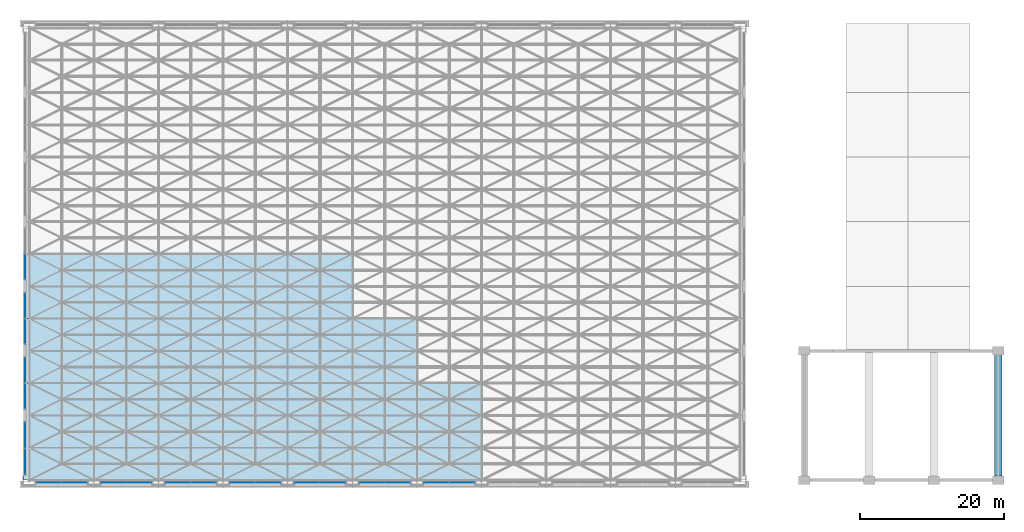
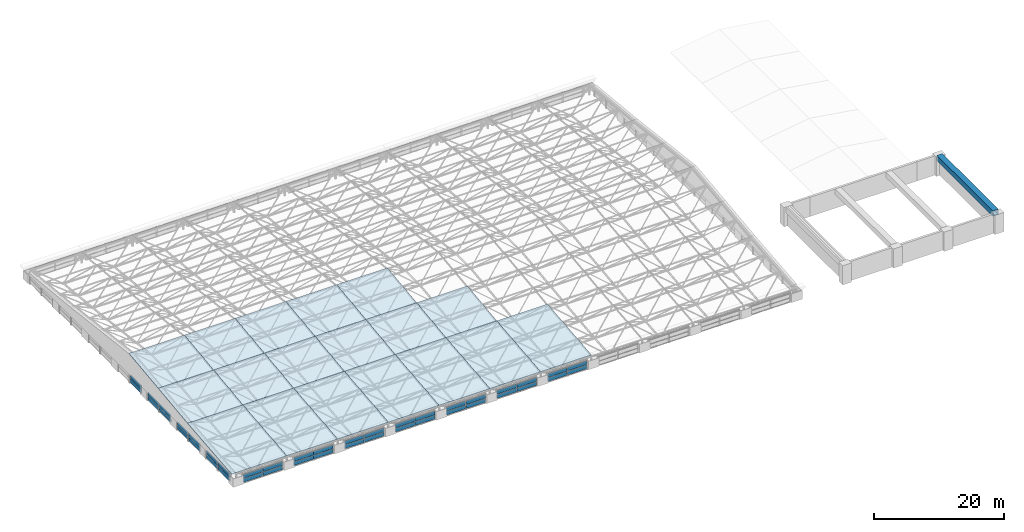
# One storey, part 23 of 53: 42 plates, 18 slabs, 1 beam, 11 elements without a shape of their own.
"""IFC4 building model written with IfcOpenShell, lengths in metres."""

import ifcopenshell
import ifcopenshell.guid

model = None  # the IFC model being written
_history = None  # IfcOwnerHistory: only IFC2X3 demands one
_inside = {}  # id of a spatial element -> (the spatial element, [elements in it])
_under = {}  # id of a project, library or spatial element -> (it, [spatial elements below it])
_declared = {}  # id of a project -> (the project, [libraries it declares])
_typed = {}  # id of a type object -> (the type object, [elements of that type])
_made_of = {}  # id of a material, layer set ... -> (it, [elements and type objects made of it])


def new_model(schema):
    """Start an empty IFC model of exactly this schema.

    Asked for "IFC4X3", IfcOpenShell would pick the latest addendum, in which some entities
    have other attributes; the version numbers below select the first issue.
    IFC2X3 requires an IfcOwnerHistory on every rooted entity: one is made here for all.
    """
    global model, _history
    if schema == "IFC4X3":
        model = ifcopenshell.file(schema_version=(4, 3, 0, 0))
    else:
        model = ifcopenshell.file(schema=schema)
    _inside.clear()
    _under.clear()
    _declared.clear()
    _typed.clear()
    _made_of.clear()
    _history = None
    if model.schema == "IFC2X3":
        org = make("IfcOrganization", Name="unknown")
        user = make(
            "IfcPersonAndOrganization",
            ThePerson=make("IfcPerson", FamilyName="unknown"),
            TheOrganization=org,
        )
        app = make(
            "IfcApplication",
            ApplicationDeveloper=org,
            Version="unknown",
            ApplicationFullName="unknown",
            ApplicationIdentifier="unknown",
        )
        _history = make(
            "IfcOwnerHistory",
            OwningUser=user,
            OwningApplication=app,
            ChangeAction="ADDED",
            CreationDate=0,
        )
    return model


def make(cls, **values):
    """One entity of the class cls with the attributes given. An attribute that is None is left unset."""
    return model.create_entity(
        cls, **{name: value for name, value in values.items() if value is not None}
    )


def rooted(cls, **values):
    """An entity with a GlobalId (a new one), such as an element, a storey or a relation."""
    return make(cls, GlobalId=ifcopenshell.guid.new(), OwnerHistory=_history, **values)


def si_unit(unit_type, name, prefix=None):
    """IfcSIUnit, for example si_unit("LENGTHUNIT", "METRE", prefix="MILLI")."""
    return make("IfcSIUnit", UnitType=unit_type, Prefix=prefix, Name=name)


def assignment(units):
    """IfcUnitAssignment: the units of a project."""
    return None if units is None else make("IfcUnitAssignment", Units=units)


def point(xyz):
    """IfcCartesianPoint."""
    return None if xyz is None else make("IfcCartesianPoint", Coordinates=xyz)


def direction(xyz):
    """IfcDirection."""
    return None if xyz is None else make("IfcDirection", DirectionRatios=xyz)


def frame(location, z_axis=None, x_axis=None):
    """IfcAxis2Placement3D, a coordinate frame: its origin and axes. An axis left out is left unset."""
    return make(
        "IfcAxis2Placement3D",
        Location=point(location),
        Axis=direction(z_axis),
        RefDirection=direction(x_axis),
    )


def frame_2d(location, x_axis=None):
    """IfcAxis2Placement2D, a coordinate frame in the plane: its origin and x axis."""
    return make(
        "IfcAxis2Placement2D", Location=point(location), RefDirection=direction(x_axis)
    )


def origin():
    """The frame at (0, 0, 0) with its axes left unset."""
    return frame((0.0, 0.0, 0.0))


def origin_2d():
    """The frame at (0, 0) in the plane with its x axis left unset."""
    return frame_2d((0.0, 0.0))


def place(relative_to, where):
    """IfcLocalPlacement: puts the frame where relative to a parent placement (None: the world)."""
    return make(
        "IfcLocalPlacement", PlacementRelTo=relative_to, RelativePlacement=where
    )


def context(
    kind, dimensions, precision=None, world=None, true_north=None, identifier=None
):
    """IfcGeometricRepresentationContext, for example the 3D "Model" context."""
    return make(
        "IfcGeometricRepresentationContext",
        ContextIdentifier=identifier,
        ContextType=kind,
        CoordinateSpaceDimension=dimensions,
        Precision=precision,
        WorldCoordinateSystem=world,
        TrueNorth=true_north,
    )


def subcontext(parent, identifier, kind, view, scale=None):
    """IfcGeometricRepresentationSubContext, for example "Body" below "Model"."""
    return make(
        "IfcGeometricRepresentationSubContext",
        ContextIdentifier=identifier,
        ContextType=kind,
        ParentContext=parent,
        TargetScale=scale,
        TargetView=view,
    )


def project(units=None, contexts=None):
    """IfcProject with its units and contexts."""
    return rooted(
        "IfcProject",
        Name="project",
        RepresentationContexts=contexts,
        UnitsInContext=assignment(units),
    )


def spatial(cls, under=None, at=None, **own):
    """A site, building, storey or space (cls), placed at a placement, below another one or the project."""
    s = rooted(cls, ObjectPlacement=at, **own)
    if under is not None:
        _under.setdefault(under.id(), (under, []))[1].append(s)
    return s


def polyline(points):
    """IfcPolyline through the points."""
    return make("IfcPolyline", Points=[point(p) for p in points])


def profile(cls, at=None, kind="AREA", **sizes):
    """A parametric profile (cls). Its sizes go by their IFC names, for example OverallWidth=200.0."""
    return make(cls, ProfileType=kind, Position=at, **sizes)


def rectangle(**sizes):
    """IfcRectangleProfileDef."""
    return profile("IfcRectangleProfileDef", **sizes)


def hollow_rectangle(**sizes):
    """IfcRectangleHollowProfileDef."""
    return profile("IfcRectangleHollowProfileDef", **sizes)


def outline(outer, holes=None, kind="AREA"):
    """IfcArbitraryClosedProfileDef: a profile drawn as a closed curve; with holes, ...WithVoids."""
    if holes is None:
        return make("IfcArbitraryClosedProfileDef", ProfileType=kind, OuterCurve=outer)
    return make(
        "IfcArbitraryProfileDefWithVoids",
        ProfileType=kind,
        OuterCurve=outer,
        InnerCurves=holes,
    )


def extrude(swept, where, along, depth):
    """IfcExtrudedAreaSolid: the profile swept, set in the frame where, extruded along a direction by depth."""
    return make(
        "IfcExtrudedAreaSolid",
        SweptArea=swept,
        Position=where,
        ExtrudedDirection=direction(along),
        Depth=depth,
    )


def shape(context_of_items, identifier, shape_type, items):
    """IfcShapeRepresentation: the items that make up one representation, for example the "Body"."""
    return make(
        "IfcShapeRepresentation",
        ContextOfItems=context_of_items,
        RepresentationIdentifier=identifier,
        RepresentationType=shape_type,
        Items=items,
    )


def material(Name=None, Category=None):
    """IfcMaterial."""
    return make("IfcMaterial", Name=Name, Category=Category)


def layer(
    of_material, thickness, ventilated=None, Name=None, Category=None, Priority=None
):
    """IfcMaterialLayer: one layer of a wall or slab, of a material (None: an air gap)."""
    return make(
        "IfcMaterialLayer",
        Material=of_material,
        LayerThickness=thickness,
        IsVentilated=ventilated,
        Name=Name,
        Category=Category,
        Priority=Priority,
    )


def layer_set(layers, Name=None):
    """IfcMaterialLayerSet."""
    return make("IfcMaterialLayerSet", MaterialLayers=layers, LayerSetName=Name)


def material_profile(
    of_material, cross_section, Name=None, Category=None, Priority=None
):
    """IfcMaterialProfile: a cross section and its material."""
    return make(
        "IfcMaterialProfile",
        Name=Name,
        Material=of_material,
        Profile=cross_section,
        Priority=Priority,
        Category=Category,
    )


def profile_set(profiles, Name=None, composite=None):
    """IfcMaterialProfileSet."""
    return make(
        "IfcMaterialProfileSet",
        Name=Name,
        MaterialProfiles=profiles,
        CompositeProfile=composite,
    )


def made_of(thing, what):
    """Note that an element or type object is made of a material, layer set ...; save() writes the relation."""
    if what is not None:
        _made_of.setdefault(what.id(), (what, []))[1].append(thing)
    return thing


def type_object(cls, material=None, **own):
    """A type object (cls), such as IfcWallType, which elements share."""
    return made_of(rooted(cls, **own), material)


def element(
    cls,
    number,
    at=None,
    inside=None,
    cuts=None,
    type_object=None,
    material=None,
    context=None,
    identifier="Body",
    shape_type=None,
    held_by="IfcProductDefinitionShape",
    body=None,
    shapes=None,
    **own,
):
    """One element of the class cls, such as IfcWall. Its Tag is "e" and its number.

    at: its placement. inside: the storey or other place that contains it. cuts: it is an
    opening in that element (IfcRelVoidsElement). A single representation is given by context,
    identifier, shape_type and body (its items); several are given by shapes. held_by: the class
    of the entity that holds the representations. save() writes the other relations.
    """
    e = rooted(cls, Tag="e%d" % number, ObjectPlacement=at, **own)
    if body is not None:
        shapes = [shape(context, identifier, shape_type, body)]
    if shapes is not None:
        e.Representation = make(held_by, Representations=shapes)
    if inside is not None:
        _inside.setdefault(inside.id(), (inside, []))[1].append(e)
    if cuts is not None:
        rooted(
            "IfcRelVoidsElement", RelatingBuildingElement=cuts, RelatedOpeningElement=e
        )
    if type_object is not None:
        _typed.setdefault(type_object.id(), (type_object, []))[1].append(e)
    return made_of(e, material)


def aggregate(whole, parts):
    """IfcRelAggregates: a whole, such as a stair, and the parts it consists of."""
    return rooted("IfcRelAggregates", RelatingObject=whole, RelatedObjects=parts)


def save(model, path):
    """Write the relations noted so far, then the file.

    IfcRelAggregates (storeys below a building ...), IfcRelContainedInSpatialStructure (elements
    in a storey), IfcRelDefinesByType, IfcRelAssociatesMaterial and IfcRelDeclares: one each for
    every whole, place, type object, material and project.
    """
    for whole, parts in _under.values():
        aggregate(whole, parts)
    for where, things in _inside.values():
        rooted(
            "IfcRelContainedInSpatialStructure",
            RelatedElements=things,
            RelatingStructure=where,
        )
    for kind, things in _typed.values():
        rooted("IfcRelDefinesByType", RelatedObjects=things, RelatingType=kind)
    for what, things in _made_of.values():
        rooted("IfcRelAssociatesMaterial", RelatedObjects=things, RelatingMaterial=what)
    for by, libraries in _declared.values():
        rooted("IfcRelDeclares", RelatingContext=by, RelatedDefinitions=libraries)
    model.write(path)


model = new_model("IFC4")

# Units and contexts
model_context = context("Model", 3, precision=1e-05, world=origin(), true_north=direction((0.0, 1.0)))
body_context = subcontext(model_context, "Body", "Model", "MODEL_VIEW")
ifc_project = project(units=[si_unit("LENGTHUNIT", "METRE"), si_unit("AREAUNIT", "SQUARE_METRE"), si_unit("VOLUMEUNIT", "CUBIC_METRE"), si_unit("PLANEANGLEUNIT", "RADIAN"), si_unit("MASSUNIT", "GRAM", prefix="KILO")], contexts=[model_context])

# Site, building, storey
site_placement = place(None, origin())
site = spatial("IfcSite", under=ifc_project, at=site_placement, CompositionType="ELEMENT")
building_placement = place(site_placement, origin())
building = spatial("IfcBuilding", under=site, at=building_placement, Name="Aravalli Gate Trade Fair Centre", CompositionType="ELEMENT")
storey_placement = place(building_placement, frame((0.0, 0.0, 25.199951171875)))
storey = spatial("IfcBuildingStorey", under=building, at=storey_placement, Name="ROOF LEVEL 2", CompositionType="ELEMENT", Elevation=25.199951171875)

# Beam
ifc_material_1 = material(Name="Steel E350", Category="steel")
ifc_material_profile = material_profile(ifc_material_1, hollow_rectangle(XDim=1.0, YDim=1.0, WallThickness=0.050048828125, at=origin_2d()), Name="BOX 1000x1000x50")
ifc_profile_set = profile_set([ifc_material_profile], Name="Steel E350")
beam_type = type_object("IfcBeamType", Name="Congress stage roof beam BOX 1000x1000x50", PredefinedType="BEAM", material=ifc_profile_set)
beam_placement = place(storey_placement, frame((141.0, 46.60009765625, 3.10009765625), z_axis=(0.0, 1.0, 0.0), x_axis=(-1.0, 0.0, 0.0)))
element("IfcBeam", 1, at=beam_placement, inside=storey, type_object=beam_type, Name="Stage roof beam line 141", PredefinedType="BEAM", context=body_context, shape_type="SweptSolid", body=[
    extrude(hollow_rectangle(XDim=1.0, YDim=1.0, WallThickness=0.050048828125, at=origin_2d()), origin(), (0.0, 0.0, 1.0), 17.199951171875),
])

# Curtain wall, plates
ifc_material_2 = material(Name="Aluminium, glass and louvre", Category="aluminium")
curtain_wall_type = type_object("IfcCurtainWallType", Name="Hall crown curtain wall 3000 module", PredefinedType="NOTDEFINED", material=ifc_material_2)
curtain_wall_1_placement = place(storey_placement, origin())
curtain_wall_1 = element("IfcCurtainWall", 2, at=curtain_wall_1_placement, inside=storey, type_object=curtain_wall_type, Name="Hall west crown curtain wall 1 ROOF LEVEL 2", PredefinedType="NOTDEFINED")
ifc_material_3 = material(Name="Glass, double glazed", Category="glass")
ifc_layer_1 = layer(ifc_material_3, 0.028076171875)
ifc_layer_set_1 = layer_set([ifc_layer_1], Name="Glass, double glazed")
plate_type_1 = type_object("IfcPlateType", Name="Hall curtain wall panel, glass 28", PredefinedType="CURTAIN_PANEL", material=ifc_layer_set_1)
plate_1_placement = place(storey_placement, frame((5.425048828125, 48.6025390625, 0.830078125), z_axis=(0.0, 0.0, 1.0), x_axis=(0.0, 1.0, 0.0)))
plate_1 = element("IfcPlate", 3, at=plate_1_placement, type_object=plate_type_1, Name="HCW1 panel 1.2", PredefinedType="CURTAIN_PANEL", context=body_context, shape_type="SweptSolid", body=[
    extrude(rectangle(XDim=3.5849609375, YDim=0.028076171875, at=origin_2d()), origin(), (0.0, 0.0, 1.0), 0.7099609375),
])
plate_2_placement = place(storey_placement, frame((5.425048828125, 52.24755859375, 0.830078125), z_axis=(0.0, 0.0, 1.0), x_axis=(0.0, 1.0, 0.0)))
plate_2 = element("IfcPlate", 4, at=plate_2_placement, type_object=plate_type_1, Name="HCW1 panel 2.2", PredefinedType="CURTAIN_PANEL", context=body_context, shape_type="SweptSolid", body=[
    extrude(rectangle(XDim=3.5849609375, YDim=0.028076171875, at=origin_2d()), origin(), (0.0, 0.0, 1.0), 0.7099609375),
])

curtain_wall_2_placement = place(storey_placement, origin())
curtain_wall_2 = element("IfcCurtainWall", 5, at=curtain_wall_2_placement, inside=storey, type_object=curtain_wall_type, Name="Hall west crown curtain wall 2 ROOF LEVEL 2", PredefinedType="NOTDEFINED")
plate_3_placement = place(storey_placement, frame((5.425048828125, 57.715087890625, 0.830078125), z_axis=(0.0, 0.0, 1.0), x_axis=(0.0, 1.0, 0.0)))
plate_3 = element("IfcPlate", 6, at=plate_3_placement, type_object=plate_type_1, Name="HCW1 panel 1.2", PredefinedType="CURTAIN_PANEL", context=body_context, shape_type="SweptSolid", body=[
    extrude(rectangle(XDim=3.510009765625, YDim=0.028076171875, at=origin_2d()), origin(), (0.0, 0.0, 1.0), 0.7099609375),
])
plate_4_placement = place(storey_placement, frame((5.425048828125, 61.284912109375, 0.830078125), z_axis=(0.0, 0.0, 1.0), x_axis=(0.0, 1.0, 0.0)))
plate_4 = element("IfcPlate", 7, at=plate_4_placement, type_object=plate_type_1, Name="HCW1 panel 2.2", PredefinedType="CURTAIN_PANEL", context=body_context, shape_type="SweptSolid", body=[
    extrude(rectangle(XDim=3.510009765625, YDim=0.028076171875, at=origin_2d()), origin(), (0.0, 0.0, 1.0), 0.7099609375),
])

curtain_wall_3_placement = place(storey_placement, origin())
curtain_wall_3 = element("IfcCurtainWall", 8, at=curtain_wall_3_placement, inside=storey, type_object=curtain_wall_type, Name="Hall west crown curtain wall 3 ROOF LEVEL 2", PredefinedType="NOTDEFINED")
plate_5_placement = place(storey_placement, frame((5.425048828125, 66.715087890625, 0.830078125), z_axis=(0.0, 0.0, 1.0), x_axis=(0.0, 1.0, 0.0)))
plate_5 = element("IfcPlate", 9, at=plate_5_placement, type_object=plate_type_1, Name="HCW1 panel 1.2", PredefinedType="CURTAIN_PANEL", context=body_context, shape_type="SweptSolid", body=[
    extrude(rectangle(XDim=3.510009765625, YDim=0.028076171875, at=origin_2d()), origin(), (0.0, 0.0, 1.0), 0.7099609375),
])
plate_6_placement = place(storey_placement, frame((5.425048828125, 70.284912109375, 0.830078125), z_axis=(0.0, 0.0, 1.0), x_axis=(0.0, 1.0, 0.0)))
plate_6 = element("IfcPlate", 10, at=plate_6_placement, type_object=plate_type_1, Name="HCW1 panel 2.2", PredefinedType="CURTAIN_PANEL", context=body_context, shape_type="SweptSolid", body=[
    extrude(rectangle(XDim=3.510009765625, YDim=0.028076171875, at=origin_2d()), origin(), (0.0, 0.0, 1.0), 0.7099609375),
])

# Curtain wall, plate
curtain_wall_4_placement = place(storey_placement, origin())
curtain_wall_4 = element("IfcCurtainWall", 11, at=curtain_wall_4_placement, inside=storey, type_object=curtain_wall_type, Name="Hall west crown curtain wall 4 ROOF LEVEL 2", PredefinedType="NOTDEFINED")
plate_7_placement = place(storey_placement, frame((5.425048828125, 75.715087890625, 0.830078125), z_axis=(0.0, 0.0, 1.0), x_axis=(0.0, 1.0, 0.0)))
plate_7 = element("IfcPlate", 12, at=plate_7_placement, type_object=plate_type_1, Name="HCW1 panel 1.2", PredefinedType="CURTAIN_PANEL", context=body_context, shape_type="SweptSolid", body=[
    extrude(rectangle(XDim=3.510009765625, YDim=0.028076171875, at=origin_2d()), origin(), (0.0, 0.0, 1.0), 0.7099609375),
])

# Curtain wall, plates
curtain_wall_5_placement = place(storey_placement, origin())
curtain_wall_5 = element("IfcCurtainWall", 13, at=curtain_wall_5_placement, inside=storey, type_object=curtain_wall_type, Name="Hall south crown curtain wall bay 1 ROOF LEVEL 2", PredefinedType="NOTDEFINED")
ifc_material_4 = material(Name="Aluminium louvre blades", Category="aluminium")
ifc_layer_2 = layer(ifc_material_4, 0.06005859375)
ifc_layer_set_2 = layer_set([ifc_layer_2], Name="Aluminium louvre blades")
plate_type_2 = type_object("IfcPlateType", Name="Hall curtain wall panel, louvre 60", PredefinedType="CURTAIN_PANEL", material=ifc_layer_set_2)
plate_8_placement = place(storey_placement, frame((8.739990234375, 45.625, 0.06005859375), z_axis=(0.0, 0.0, 1.0), x_axis=(1.0, 0.0, 0.0)))
plate_8 = element("IfcPlate", 14, at=plate_8_placement, type_object=plate_type_2, Name="HCW1 panel 1.1", PredefinedType="CURTAIN_PANEL", context=body_context, shape_type="SweptSolid", body=[
    extrude(rectangle(XDim=3.4599609375, YDim=0.06005859375, at=origin_2d()), origin(), (0.0, 0.0, 1.0), 0.7099609375),
])
plate_9_placement = place(storey_placement, frame((8.739990234375, 45.625, 0.830078125), z_axis=(0.0, 0.0, 1.0), x_axis=(1.0, 0.0, 0.0)))
plate_9 = element("IfcPlate", 15, at=plate_9_placement, type_object=plate_type_2, Name="HCW1 panel 1.2", PredefinedType="CURTAIN_PANEL", context=body_context, shape_type="SweptSolid", body=[
    extrude(rectangle(XDim=3.4599609375, YDim=0.06005859375, at=origin_2d()), origin(), (0.0, 0.0, 1.0), 0.7099609375),
])
plate_10_placement = place(storey_placement, frame((12.260009765625, 45.625, 0.06005859375), z_axis=(0.0, 0.0, 1.0), x_axis=(1.0, 0.0, 0.0)))
plate_10 = element("IfcPlate", 16, at=plate_10_placement, type_object=plate_type_2, Name="HCW1 panel 2.1", PredefinedType="CURTAIN_PANEL", context=body_context, shape_type="SweptSolid", body=[
    extrude(rectangle(XDim=3.4599609375, YDim=0.06005859375, at=origin_2d()), origin(), (0.0, 0.0, 1.0), 0.7099609375),
])
plate_11_placement = place(storey_placement, frame((12.260009765625, 45.625, 0.830078125), z_axis=(0.0, 0.0, 1.0), x_axis=(1.0, 0.0, 0.0)))
plate_11 = element("IfcPlate", 17, at=plate_11_placement, type_object=plate_type_2, Name="HCW1 panel 2.2", PredefinedType="CURTAIN_PANEL", context=body_context, shape_type="SweptSolid", body=[
    extrude(rectangle(XDim=3.4599609375, YDim=0.06005859375, at=origin_2d()), origin(), (0.0, 0.0, 1.0), 0.7099609375),
])
aggregate(curtain_wall_5, [plate_8, plate_9, plate_10, plate_11])

curtain_wall_6_placement = place(storey_placement, origin())
curtain_wall_6 = element("IfcCurtainWall", 18, at=curtain_wall_6_placement, inside=storey, type_object=curtain_wall_type, Name="Hall south crown curtain wall bay 2 ROOF LEVEL 2", PredefinedType="NOTDEFINED")
plate_12_placement = place(storey_placement, frame((17.739990234375, 45.625, 0.06005859375), z_axis=(0.0, 0.0, 1.0), x_axis=(1.0, 0.0, 0.0)))
plate_12 = element("IfcPlate", 19, at=plate_12_placement, type_object=plate_type_2, Name="HCW1 panel 1.1", PredefinedType="CURTAIN_PANEL", context=body_context, shape_type="SweptSolid", body=[
    extrude(rectangle(XDim=3.4599609375, YDim=0.06005859375, at=origin_2d()), origin(), (0.0, 0.0, 1.0), 0.7099609375),
])
plate_13_placement = place(storey_placement, frame((17.739990234375, 45.625, 0.830078125), z_axis=(0.0, 0.0, 1.0), x_axis=(1.0, 0.0, 0.0)))
plate_13 = element("IfcPlate", 20, at=plate_13_placement, type_object=plate_type_2, Name="HCW1 panel 1.2", PredefinedType="CURTAIN_PANEL", context=body_context, shape_type="SweptSolid", body=[
    extrude(rectangle(XDim=3.4599609375, YDim=0.06005859375, at=origin_2d()), origin(), (0.0, 0.0, 1.0), 0.7099609375),
])
plate_14_placement = place(storey_placement, frame((21.260009765625, 45.625, 0.06005859375), z_axis=(0.0, 0.0, 1.0), x_axis=(1.0, 0.0, 0.0)))
plate_14 = element("IfcPlate", 21, at=plate_14_placement, type_object=plate_type_2, Name="HCW1 panel 2.1", PredefinedType="CURTAIN_PANEL", context=body_context, shape_type="SweptSolid", body=[
    extrude(rectangle(XDim=3.4599609375, YDim=0.06005859375, at=origin_2d()), origin(), (0.0, 0.0, 1.0), 0.7099609375),
])
plate_15_placement = place(storey_placement, frame((21.260009765625, 45.625, 0.830078125), z_axis=(0.0, 0.0, 1.0), x_axis=(1.0, 0.0, 0.0)))
plate_15 = element("IfcPlate", 22, at=plate_15_placement, type_object=plate_type_2, Name="HCW1 panel 2.2", PredefinedType="CURTAIN_PANEL", context=body_context, shape_type="SweptSolid", body=[
    extrude(rectangle(XDim=3.4599609375, YDim=0.06005859375, at=origin_2d()), origin(), (0.0, 0.0, 1.0), 0.7099609375),
])
aggregate(curtain_wall_6, [plate_12, plate_13, plate_14, plate_15])

curtain_wall_7_placement = place(storey_placement, origin())
curtain_wall_7 = element("IfcCurtainWall", 23, at=curtain_wall_7_placement, inside=storey, type_object=curtain_wall_type, Name="Hall south crown curtain wall bay 3 ROOF LEVEL 2", PredefinedType="NOTDEFINED")
plate_16_placement = place(storey_placement, frame((26.739990234375, 45.625, 0.06005859375), z_axis=(0.0, 0.0, 1.0), x_axis=(1.0, 0.0, 0.0)))
plate_16 = element("IfcPlate", 24, at=plate_16_placement, type_object=plate_type_2, Name="HCW1 panel 1.1", PredefinedType="CURTAIN_PANEL", context=body_context, shape_type="SweptSolid", body=[
    extrude(rectangle(XDim=3.4599609375, YDim=0.06005859375, at=origin_2d()), origin(), (0.0, 0.0, 1.0), 0.7099609375),
])
plate_17_placement = place(storey_placement, frame((26.739990234375, 45.625, 0.830078125), z_axis=(0.0, 0.0, 1.0), x_axis=(1.0, 0.0, 0.0)))
plate_17 = element("IfcPlate", 25, at=plate_17_placement, type_object=plate_type_2, Name="HCW1 panel 1.2", PredefinedType="CURTAIN_PANEL", context=body_context, shape_type="SweptSolid", body=[
    extrude(rectangle(XDim=3.4599609375, YDim=0.06005859375, at=origin_2d()), origin(), (0.0, 0.0, 1.0), 0.7099609375),
])
plate_18_placement = place(storey_placement, frame((30.260009765625, 45.625, 0.06005859375), z_axis=(0.0, 0.0, 1.0), x_axis=(1.0, 0.0, 0.0)))
plate_18 = element("IfcPlate", 26, at=plate_18_placement, type_object=plate_type_2, Name="HCW1 panel 2.1", PredefinedType="CURTAIN_PANEL", context=body_context, shape_type="SweptSolid", body=[
    extrude(rectangle(XDim=3.4599609375, YDim=0.06005859375, at=origin_2d()), origin(), (0.0, 0.0, 1.0), 0.7099609375),
])
plate_19_placement = place(storey_placement, frame((30.260009765625, 45.625, 0.830078125), z_axis=(0.0, 0.0, 1.0), x_axis=(1.0, 0.0, 0.0)))
plate_19 = element("IfcPlate", 27, at=plate_19_placement, type_object=plate_type_2, Name="HCW1 panel 2.2", PredefinedType="CURTAIN_PANEL", context=body_context, shape_type="SweptSolid", body=[
    extrude(rectangle(XDim=3.4599609375, YDim=0.06005859375, at=origin_2d()), origin(), (0.0, 0.0, 1.0), 0.7099609375),
])
aggregate(curtain_wall_7, [plate_16, plate_17, plate_18, plate_19])

curtain_wall_8_placement = place(storey_placement, origin())
curtain_wall_8 = element("IfcCurtainWall", 28, at=curtain_wall_8_placement, inside=storey, type_object=curtain_wall_type, Name="Hall south crown curtain wall bay 4 ROOF LEVEL 2", PredefinedType="NOTDEFINED")
plate_20_placement = place(storey_placement, frame((35.739990234375, 45.625, 0.06005859375), z_axis=(0.0, 0.0, 1.0), x_axis=(1.0, 0.0, 0.0)))
plate_20 = element("IfcPlate", 29, at=plate_20_placement, type_object=plate_type_2, Name="HCW1 panel 1.1", PredefinedType="CURTAIN_PANEL", context=body_context, shape_type="SweptSolid", body=[
    extrude(rectangle(XDim=3.4599609375, YDim=0.06005859375, at=origin_2d()), origin(), (0.0, 0.0, 1.0), 0.7099609375),
])
plate_21_placement = place(storey_placement, frame((35.739990234375, 45.625, 0.830078125), z_axis=(0.0, 0.0, 1.0), x_axis=(1.0, 0.0, 0.0)))
plate_21 = element("IfcPlate", 30, at=plate_21_placement, type_object=plate_type_2, Name="HCW1 panel 1.2", PredefinedType="CURTAIN_PANEL", context=body_context, shape_type="SweptSolid", body=[
    extrude(rectangle(XDim=3.4599609375, YDim=0.06005859375, at=origin_2d()), origin(), (0.0, 0.0, 1.0), 0.7099609375),
])
plate_22_placement = place(storey_placement, frame((39.260009765625, 45.625, 0.06005859375), z_axis=(0.0, 0.0, 1.0), x_axis=(1.0, 0.0, 0.0)))
plate_22 = element("IfcPlate", 31, at=plate_22_placement, type_object=plate_type_2, Name="HCW1 panel 2.1", PredefinedType="CURTAIN_PANEL", context=body_context, shape_type="SweptSolid", body=[
    extrude(rectangle(XDim=3.4599609375, YDim=0.06005859375, at=origin_2d()), origin(), (0.0, 0.0, 1.0), 0.7099609375),
])
plate_23_placement = place(storey_placement, frame((39.260009765625, 45.625, 0.830078125), z_axis=(0.0, 0.0, 1.0), x_axis=(1.0, 0.0, 0.0)))
plate_23 = element("IfcPlate", 32, at=plate_23_placement, type_object=plate_type_2, Name="HCW1 panel 2.2", PredefinedType="CURTAIN_PANEL", context=body_context, shape_type="SweptSolid", body=[
    extrude(rectangle(XDim=3.4599609375, YDim=0.06005859375, at=origin_2d()), origin(), (0.0, 0.0, 1.0), 0.7099609375),
])
aggregate(curtain_wall_8, [plate_20, plate_21, plate_22, plate_23])

curtain_wall_9_placement = place(storey_placement, origin())
curtain_wall_9 = element("IfcCurtainWall", 33, at=curtain_wall_9_placement, inside=storey, type_object=curtain_wall_type, Name="Hall south crown curtain wall bay 5 ROOF LEVEL 2", PredefinedType="NOTDEFINED")
plate_24_placement = place(storey_placement, frame((44.739990234375, 45.625, 0.06005859375), z_axis=(0.0, 0.0, 1.0), x_axis=(1.0, 0.0, 0.0)))
plate_24 = element("IfcPlate", 34, at=plate_24_placement, type_object=plate_type_2, Name="HCW1 panel 1.1", PredefinedType="CURTAIN_PANEL", context=body_context, shape_type="SweptSolid", body=[
    extrude(rectangle(XDim=3.4599609375, YDim=0.06005859375, at=origin_2d()), origin(), (0.0, 0.0, 1.0), 0.7099609375),
])
plate_25_placement = place(storey_placement, frame((44.739990234375, 45.625, 0.830078125), z_axis=(0.0, 0.0, 1.0), x_axis=(1.0, 0.0, 0.0)))
plate_25 = element("IfcPlate", 35, at=plate_25_placement, type_object=plate_type_2, Name="HCW1 panel 1.2", PredefinedType="CURTAIN_PANEL", context=body_context, shape_type="SweptSolid", body=[
    extrude(rectangle(XDim=3.4599609375, YDim=0.06005859375, at=origin_2d()), origin(), (0.0, 0.0, 1.0), 0.7099609375),
])
plate_26_placement = place(storey_placement, frame((48.260009765625, 45.625, 0.06005859375), z_axis=(0.0, 0.0, 1.0), x_axis=(1.0, 0.0, 0.0)))
plate_26 = element("IfcPlate", 36, at=plate_26_placement, type_object=plate_type_2, Name="HCW1 panel 2.1", PredefinedType="CURTAIN_PANEL", context=body_context, shape_type="SweptSolid", body=[
    extrude(rectangle(XDim=3.4599609375, YDim=0.06005859375, at=origin_2d()), origin(), (0.0, 0.0, 1.0), 0.7099609375),
])
plate_27_placement = place(storey_placement, frame((48.260009765625, 45.625, 0.830078125), z_axis=(0.0, 0.0, 1.0), x_axis=(1.0, 0.0, 0.0)))
plate_27 = element("IfcPlate", 37, at=plate_27_placement, type_object=plate_type_2, Name="HCW1 panel 2.2", PredefinedType="CURTAIN_PANEL", context=body_context, shape_type="SweptSolid", body=[
    extrude(rectangle(XDim=3.4599609375, YDim=0.06005859375, at=origin_2d()), origin(), (0.0, 0.0, 1.0), 0.7099609375),
])
aggregate(curtain_wall_9, [plate_24, plate_25, plate_26, plate_27])

curtain_wall_10_placement = place(storey_placement, origin())
curtain_wall_10 = element("IfcCurtainWall", 38, at=curtain_wall_10_placement, inside=storey, type_object=curtain_wall_type, Name="Hall south crown curtain wall bay 6 ROOF LEVEL 2", PredefinedType="NOTDEFINED")
plate_28_placement = place(storey_placement, frame((53.739990234375, 45.625, 0.06005859375), z_axis=(0.0, 0.0, 1.0), x_axis=(1.0, 0.0, 0.0)))
plate_28 = element("IfcPlate", 39, at=plate_28_placement, type_object=plate_type_2, Name="HCW1 panel 1.1", PredefinedType="CURTAIN_PANEL", context=body_context, shape_type="SweptSolid", body=[
    extrude(rectangle(XDim=3.4599609375, YDim=0.06005859375, at=origin_2d()), origin(), (0.0, 0.0, 1.0), 0.7099609375),
])
plate_29_placement = place(storey_placement, frame((53.739990234375, 45.625, 0.830078125), z_axis=(0.0, 0.0, 1.0), x_axis=(1.0, 0.0, 0.0)))
plate_29 = element("IfcPlate", 40, at=plate_29_placement, type_object=plate_type_2, Name="HCW1 panel 1.2", PredefinedType="CURTAIN_PANEL", context=body_context, shape_type="SweptSolid", body=[
    extrude(rectangle(XDim=3.4599609375, YDim=0.06005859375, at=origin_2d()), origin(), (0.0, 0.0, 1.0), 0.7099609375),
])
plate_30_placement = place(storey_placement, frame((57.260009765625, 45.625, 0.06005859375), z_axis=(0.0, 0.0, 1.0), x_axis=(1.0, 0.0, 0.0)))
plate_30 = element("IfcPlate", 41, at=plate_30_placement, type_object=plate_type_2, Name="HCW1 panel 2.1", PredefinedType="CURTAIN_PANEL", context=body_context, shape_type="SweptSolid", body=[
    extrude(rectangle(XDim=3.4599609375, YDim=0.06005859375, at=origin_2d()), origin(), (0.0, 0.0, 1.0), 0.7099609375),
])
plate_31_placement = place(storey_placement, frame((57.260009765625, 45.625, 0.830078125), z_axis=(0.0, 0.0, 1.0), x_axis=(1.0, 0.0, 0.0)))
plate_31 = element("IfcPlate", 42, at=plate_31_placement, type_object=plate_type_2, Name="HCW1 panel 2.2", PredefinedType="CURTAIN_PANEL", context=body_context, shape_type="SweptSolid", body=[
    extrude(rectangle(XDim=3.4599609375, YDim=0.06005859375, at=origin_2d()), origin(), (0.0, 0.0, 1.0), 0.7099609375),
])
aggregate(curtain_wall_10, [plate_28, plate_29, plate_30, plate_31])

curtain_wall_11_placement = place(storey_placement, origin())
curtain_wall_11 = element("IfcCurtainWall", 43, at=curtain_wall_11_placement, inside=storey, type_object=curtain_wall_type, Name="Hall south crown curtain wall bay 7 ROOF LEVEL 2", PredefinedType="NOTDEFINED")
plate_32_placement = place(storey_placement, frame((62.739990234375, 45.625, 0.06005859375), z_axis=(0.0, 0.0, 1.0), x_axis=(1.0, 0.0, 0.0)))
plate_32 = element("IfcPlate", 44, at=plate_32_placement, type_object=plate_type_2, Name="HCW1 panel 1.1", PredefinedType="CURTAIN_PANEL", context=body_context, shape_type="SweptSolid", body=[
    extrude(rectangle(XDim=3.4599609375, YDim=0.06005859375, at=origin_2d()), origin(), (0.0, 0.0, 1.0), 0.7099609375),
])
plate_33_placement = place(storey_placement, frame((62.739990234375, 45.625, 0.830078125), z_axis=(0.0, 0.0, 1.0), x_axis=(1.0, 0.0, 0.0)))
plate_33 = element("IfcPlate", 45, at=plate_33_placement, type_object=plate_type_2, Name="HCW1 panel 1.2", PredefinedType="CURTAIN_PANEL", context=body_context, shape_type="SweptSolid", body=[
    extrude(rectangle(XDim=3.4599609375, YDim=0.06005859375, at=origin_2d()), origin(), (0.0, 0.0, 1.0), 0.7099609375),
])
plate_34_placement = place(storey_placement, frame((66.260009765625, 45.625, 0.06005859375), z_axis=(0.0, 0.0, 1.0), x_axis=(1.0, 0.0, 0.0)))
plate_34 = element("IfcPlate", 46, at=plate_34_placement, type_object=plate_type_2, Name="HCW1 panel 2.1", PredefinedType="CURTAIN_PANEL", context=body_context, shape_type="SweptSolid", body=[
    extrude(rectangle(XDim=3.4599609375, YDim=0.06005859375, at=origin_2d()), origin(), (0.0, 0.0, 1.0), 0.7099609375),
])
plate_35_placement = place(storey_placement, frame((66.260009765625, 45.625, 0.830078125), z_axis=(0.0, 0.0, 1.0), x_axis=(1.0, 0.0, 0.0)))
plate_35 = element("IfcPlate", 47, at=plate_35_placement, type_object=plate_type_2, Name="HCW1 panel 2.2", PredefinedType="CURTAIN_PANEL", context=body_context, shape_type="SweptSolid", body=[
    extrude(rectangle(XDim=3.4599609375, YDim=0.06005859375, at=origin_2d()), origin(), (0.0, 0.0, 1.0), 0.7099609375),
])
aggregate(curtain_wall_11, [plate_32, plate_33, plate_34, plate_35])

# Plate
plate_36_placement = place(storey_placement, frame((5.425048828125, 48.6025390625, 0.06005859375), z_axis=(0.0, 0.0, 1.0), x_axis=(0.0, 1.0, 0.0)))
plate_36 = element("IfcPlate", 48, at=plate_36_placement, type_object=plate_type_2, Name="HCW1 panel 1.1", PredefinedType="CURTAIN_PANEL", context=body_context, shape_type="SweptSolid", body=[
    extrude(rectangle(XDim=3.5849609375, YDim=0.06005859375, at=origin_2d()), origin(), (0.0, 0.0, 1.0), 0.7099609375),
])

plate_37_placement = place(storey_placement, frame((5.425048828125, 52.24755859375, 0.06005859375), z_axis=(0.0, 0.0, 1.0), x_axis=(0.0, 1.0, 0.0)))
plate_37 = element("IfcPlate", 49, at=plate_37_placement, type_object=plate_type_2, Name="HCW1 panel 2.1", PredefinedType="CURTAIN_PANEL", context=body_context, shape_type="SweptSolid", body=[
    extrude(rectangle(XDim=3.5849609375, YDim=0.06005859375, at=origin_2d()), origin(), (0.0, 0.0, 1.0), 0.7099609375),
])

aggregate(curtain_wall_1, [plate_36, plate_1, plate_37, plate_2])

plate_38_placement = place(storey_placement, frame((5.425048828125, 57.715087890625, 0.06005859375), z_axis=(0.0, 0.0, 1.0), x_axis=(0.0, 1.0, 0.0)))
plate_38 = element("IfcPlate", 50, at=plate_38_placement, type_object=plate_type_2, Name="HCW1 panel 1.1", PredefinedType="CURTAIN_PANEL", context=body_context, shape_type="SweptSolid", body=[
    extrude(rectangle(XDim=3.510009765625, YDim=0.06005859375, at=origin_2d()), origin(), (0.0, 0.0, 1.0), 0.7099609375),
])

plate_39_placement = place(storey_placement, frame((5.425048828125, 61.284912109375, 0.06005859375), z_axis=(0.0, 0.0, 1.0), x_axis=(0.0, 1.0, 0.0)))
plate_39 = element("IfcPlate", 51, at=plate_39_placement, type_object=plate_type_2, Name="HCW1 panel 2.1", PredefinedType="CURTAIN_PANEL", context=body_context, shape_type="SweptSolid", body=[
    extrude(rectangle(XDim=3.510009765625, YDim=0.06005859375, at=origin_2d()), origin(), (0.0, 0.0, 1.0), 0.7099609375),
])

aggregate(curtain_wall_2, [plate_38, plate_3, plate_39, plate_4])

plate_40_placement = place(storey_placement, frame((5.425048828125, 66.715087890625, 0.06005859375), z_axis=(0.0, 0.0, 1.0), x_axis=(0.0, 1.0, 0.0)))
plate_40 = element("IfcPlate", 52, at=plate_40_placement, type_object=plate_type_2, Name="HCW1 panel 1.1", PredefinedType="CURTAIN_PANEL", context=body_context, shape_type="SweptSolid", body=[
    extrude(rectangle(XDim=3.510009765625, YDim=0.06005859375, at=origin_2d()), origin(), (0.0, 0.0, 1.0), 0.7099609375),
])

plate_41_placement = place(storey_placement, frame((5.425048828125, 70.284912109375, 0.06005859375), z_axis=(0.0, 0.0, 1.0), x_axis=(0.0, 1.0, 0.0)))
plate_41 = element("IfcPlate", 53, at=plate_41_placement, type_object=plate_type_2, Name="HCW1 panel 2.1", PredefinedType="CURTAIN_PANEL", context=body_context, shape_type="SweptSolid", body=[
    extrude(rectangle(XDim=3.510009765625, YDim=0.06005859375, at=origin_2d()), origin(), (0.0, 0.0, 1.0), 0.7099609375),
])

aggregate(curtain_wall_3, [plate_40, plate_5, plate_41, plate_6])

plate_42_placement = place(storey_placement, frame((5.425048828125, 75.715087890625, 0.06005859375), z_axis=(0.0, 0.0, 1.0), x_axis=(0.0, 1.0, 0.0)))
plate_42 = element("IfcPlate", 54, at=plate_42_placement, type_object=plate_type_2, Name="HCW1 panel 1.1", PredefinedType="CURTAIN_PANEL", context=body_context, shape_type="SweptSolid", body=[
    extrude(rectangle(XDim=3.510009765625, YDim=0.06005859375, at=origin_2d()), origin(), (0.0, 0.0, 1.0), 0.7099609375),
])

aggregate(curtain_wall_4, [plate_42, plate_7])

# Slabs
ifc_material_5 = material(Name="Aluminium standing-seam roof sheet on insulated deck", Category="aluminium")
ifc_layer_3 = layer(ifc_material_5, 0.10009765625)
ifc_layer_set_3 = layer_set([ifc_layer_3], Name="Aluminium standing-seam roof sheet on insulated deck")
slab_type = type_object("IfcSlabType", Name="Hall roof panel 100", PredefinedType="ROOF", material=ifc_layer_set_3)
slab_1_placement = place(storey_placement, frame((5.199951171875, 46.0, 2.03662109375), z_axis=(0.0, -0.099512633907, 0.995036298681), x_axis=(1.0, 0.0, 0.0)))
element("IfcSlab", 55, at=slab_1_placement, inside=storey, type_object=slab_type, Name="Hall roof panel bay 1 facet 1", PredefinedType="ROOF", context=body_context, shape_type="SweptSolid", body=[
    extrude(outline(polyline([(0.0, 0.0), (9.800048828125, 0.0), (9.800048828125, 13.55728454555462), (0.0, 13.55728454555462), (0.0, 0.0)])), origin(), (0.0, 0.0, -1.0), 0.10009765625),
])
slab_2_placement = place(storey_placement, frame((5.199951171875, 59.5, 3.38671875), z_axis=(0.0, -0.121306442071, 0.992615105221), x_axis=(1.0, 0.0, 0.0)))
element("IfcSlab", 56, at=slab_2_placement, inside=storey, type_object=slab_type, Name="Hall roof panel bay 1 facet 2", PredefinedType="ROOF", context=body_context, shape_type="SweptSolid", body=[
    extrude(outline(polyline([(0.0, 0.0), (9.800048828125, 0.0), (9.800048828125, 9.054660685172871), (0.0, 9.054660685172871), (0.0, 0.0)])), origin(), (0.0, 0.0, -1.0), 0.10009765625),
])
slab_3_placement = place(storey_placement, frame((5.199951171875, 68.5, 4.486572265625), z_axis=(0.0, -0.119150537915, 0.992876200397), x_axis=(1.0, 0.0, 0.0)))
element("IfcSlab", 57, at=slab_3_placement, inside=storey, type_object=slab_type, Name="Hall roof panel bay 1 facet 3", PredefinedType="ROOF", context=body_context, shape_type="SweptSolid", body=[
    extrude(outline(polyline([(0.0, 0.0), (9.800048828125, 0.0), (9.800048828125, 9.0525254868457), (0.0, 9.0525254868457), (0.0, 0.0)])), origin(), (0.0, 0.0, -1.0), 0.10009765625),
])
slab_4_placement = place(storey_placement, frame((15.0, 46.0, 2.03662109375), z_axis=(0.0, -0.099512633907, 0.995036298681), x_axis=(1.0, 0.0, 0.0)))
element("IfcSlab", 58, at=slab_4_placement, inside=storey, type_object=slab_type, Name="Hall roof panel bay 2 facet 1", PredefinedType="ROOF", context=body_context, shape_type="SweptSolid", body=[
    extrude(outline(polyline([(0.0, 0.0), (9.0, 0.0), (9.0, 13.55728454555462), (0.0, 13.55728454555462), (0.0, 0.0)])), origin(), (0.0, 0.0, -1.0), 0.10009765625),
])
slab_5_placement = place(storey_placement, frame((15.0, 59.5, 3.38671875), z_axis=(0.0, -0.121306442071, 0.992615105221), x_axis=(1.0, 0.0, 0.0)))
element("IfcSlab", 59, at=slab_5_placement, inside=storey, type_object=slab_type, Name="Hall roof panel bay 2 facet 2", PredefinedType="ROOF", context=body_context, shape_type="SweptSolid", body=[
    extrude(outline(polyline([(0.0, 0.0), (9.0, 0.0), (9.0, 9.054660685172873), (0.0, 9.054660685172873), (0.0, 0.0)])), origin(), (0.0, 0.0, -1.0), 0.10009765625),
])
slab_6_placement = place(storey_placement, frame((15.0, 68.5, 4.486572265625), z_axis=(0.0, -0.119150537915, 0.992876200397), x_axis=(1.0, 0.0, 0.0)))
element("IfcSlab", 60, at=slab_6_placement, inside=storey, type_object=slab_type, Name="Hall roof panel bay 2 facet 3", PredefinedType="ROOF", context=body_context, shape_type="SweptSolid", body=[
    extrude(outline(polyline([(0.0, 0.0), (9.0, 0.0), (9.0, 9.052525486845699), (0.0, 9.052525486845699), (0.0, 0.0)])), origin(), (0.0, 0.0, -1.0), 0.10009765625),
])
slab_7_placement = place(storey_placement, frame((24.0, 46.0, 2.03662109375), z_axis=(0.0, -0.099512633907, 0.995036298681), x_axis=(1.0, 0.0, 0.0)))
element("IfcSlab", 61, at=slab_7_placement, inside=storey, type_object=slab_type, Name="Hall roof panel bay 3 facet 1", PredefinedType="ROOF", context=body_context, shape_type="SweptSolid", body=[
    extrude(outline(polyline([(0.0, 0.0), (9.0, 0.0), (9.0, 13.55728454555462), (0.0, 13.55728454555462), (0.0, 0.0)])), origin(), (0.0, 0.0, -1.0), 0.10009765625),
])
slab_8_placement = place(storey_placement, frame((24.0, 59.5, 3.38671875), z_axis=(0.0, -0.121306442071, 0.992615105221), x_axis=(1.0, 0.0, 0.0)))
element("IfcSlab", 62, at=slab_8_placement, inside=storey, type_object=slab_type, Name="Hall roof panel bay 3 facet 2", PredefinedType="ROOF", context=body_context, shape_type="SweptSolid", body=[
    extrude(outline(polyline([(0.0, 0.0), (9.0, 0.0), (9.0, 9.054660685172873), (0.0, 9.054660685172873), (0.0, 0.0)])), origin(), (0.0, 0.0, -1.0), 0.10009765625),
])
slab_9_placement = place(storey_placement, frame((24.0, 68.5, 4.486572265625), z_axis=(0.0, -0.119150537915, 0.992876200397), x_axis=(1.0, 0.0, 0.0)))
element("IfcSlab", 63, at=slab_9_placement, inside=storey, type_object=slab_type, Name="Hall roof panel bay 3 facet 3", PredefinedType="ROOF", context=body_context, shape_type="SweptSolid", body=[
    extrude(outline(polyline([(0.0, 0.0), (9.0, 0.0), (9.0, 9.052525486845699), (0.0, 9.052525486845699), (0.0, 0.0)])), origin(), (0.0, 0.0, -1.0), 0.10009765625),
])
slab_10_placement = place(storey_placement, frame((33.0, 46.0, 2.03662109375), z_axis=(0.0, -0.099512633907, 0.995036298681), x_axis=(1.0, 0.0, 0.0)))
element("IfcSlab", 64, at=slab_10_placement, inside=storey, type_object=slab_type, Name="Hall roof panel bay 4 facet 1", PredefinedType="ROOF", context=body_context, shape_type="SweptSolid", body=[
    extrude(outline(polyline([(0.0, 0.0), (9.0, 0.0), (9.0, 13.55728454555462), (0.0, 13.55728454555462), (0.0, 0.0)])), origin(), (0.0, 0.0, -1.0), 0.10009765625),
])
slab_11_placement = place(storey_placement, frame((33.0, 59.5, 3.38671875), z_axis=(0.0, -0.121306442071, 0.992615105221), x_axis=(1.0, 0.0, 0.0)))
element("IfcSlab", 65, at=slab_11_placement, inside=storey, type_object=slab_type, Name="Hall roof panel bay 4 facet 2", PredefinedType="ROOF", context=body_context, shape_type="SweptSolid", body=[
    extrude(outline(polyline([(0.0, 0.0), (9.0, 0.0), (9.0, 9.054660685172873), (0.0, 9.054660685172873), (0.0, 0.0)])), origin(), (0.0, 0.0, -1.0), 0.10009765625),
])
slab_12_placement = place(storey_placement, frame((33.0, 68.5, 4.486572265625), z_axis=(0.0, -0.119150537915, 0.992876200397), x_axis=(1.0, 0.0, 0.0)))
element("IfcSlab", 66, at=slab_12_placement, inside=storey, type_object=slab_type, Name="Hall roof panel bay 4 facet 3", PredefinedType="ROOF", context=body_context, shape_type="SweptSolid", body=[
    extrude(outline(polyline([(0.0, 0.0), (9.0, 0.0), (9.0, 9.052525486845699), (0.0, 9.052525486845699), (0.0, 0.0)])), origin(), (0.0, 0.0, -1.0), 0.10009765625),
])
slab_13_placement = place(storey_placement, frame((42.0, 46.0, 2.03662109375), z_axis=(0.0, -0.099512633907, 0.995036298681), x_axis=(1.0, 0.0, 0.0)))
element("IfcSlab", 67, at=slab_13_placement, inside=storey, type_object=slab_type, Name="Hall roof panel bay 5 facet 1", PredefinedType="ROOF", context=body_context, shape_type="SweptSolid", body=[
    extrude(outline(polyline([(0.0, 0.0), (9.0, 0.0), (9.0, 13.55728454555462), (0.0, 13.55728454555462), (0.0, 0.0)])), origin(), (0.0, 0.0, -1.0), 0.10009765625),
])
slab_14_placement = place(storey_placement, frame((42.0, 59.5, 3.38671875), z_axis=(0.0, -0.121306442071, 0.992615105221), x_axis=(1.0, 0.0, 0.0)))
element("IfcSlab", 68, at=slab_14_placement, inside=storey, type_object=slab_type, Name="Hall roof panel bay 5 facet 2", PredefinedType="ROOF", context=body_context, shape_type="SweptSolid", body=[
    extrude(outline(polyline([(0.0, 0.0), (9.0, 0.0), (9.0, 9.054660685172873), (0.0, 9.054660685172873), (0.0, 0.0)])), origin(), (0.0, 0.0, -1.0), 0.10009765625),
])
slab_15_placement = place(storey_placement, frame((42.0, 68.5, 4.486572265625), z_axis=(0.0, -0.119150537915, 0.992876200397), x_axis=(1.0, 0.0, 0.0)))
element("IfcSlab", 69, at=slab_15_placement, inside=storey, type_object=slab_type, Name="Hall roof panel bay 5 facet 3", PredefinedType="ROOF", context=body_context, shape_type="SweptSolid", body=[
    extrude(outline(polyline([(0.0, 0.0), (9.0, 0.0), (9.0, 9.052525486845699), (0.0, 9.052525486845699), (0.0, 0.0)])), origin(), (0.0, 0.0, -1.0), 0.10009765625),
])
slab_16_placement = place(storey_placement, frame((51.0, 46.0, 2.03662109375), z_axis=(0.0, -0.099512633907, 0.995036298681), x_axis=(1.0, 0.0, 0.0)))
element("IfcSlab", 70, at=slab_16_placement, inside=storey, type_object=slab_type, Name="Hall roof panel bay 6 facet 1", PredefinedType="ROOF", context=body_context, shape_type="SweptSolid", body=[
    extrude(outline(polyline([(0.0, 0.0), (9.0, 0.0), (9.0, 13.55728454555462), (0.0, 13.55728454555462), (0.0, 0.0)])), origin(), (0.0, 0.0, -1.0), 0.10009765625),
])
slab_17_placement = place(storey_placement, frame((51.0, 59.5, 3.38671875), z_axis=(0.0, -0.121306442071, 0.992615105221), x_axis=(1.0, 0.0, 0.0)))
element("IfcSlab", 71, at=slab_17_placement, inside=storey, type_object=slab_type, Name="Hall roof panel bay 6 facet 2", PredefinedType="ROOF", context=body_context, shape_type="SweptSolid", body=[
    extrude(outline(polyline([(0.0, 0.0), (9.0, 0.0), (9.0, 9.054660685172873), (0.0, 9.054660685172873), (0.0, 0.0)])), origin(), (0.0, 0.0, -1.0), 0.10009765625),
])
slab_18_placement = place(storey_placement, frame((60.0, 46.0, 2.03662109375), z_axis=(0.0, -0.099512633907, 0.995036298681), x_axis=(1.0, 0.0, 0.0)))
element("IfcSlab", 72, at=slab_18_placement, inside=storey, type_object=slab_type, Name="Hall roof panel bay 7 facet 1", PredefinedType="ROOF", context=body_context, shape_type="SweptSolid", body=[
    extrude(outline(polyline([(0.0, 0.0), (9.0, 0.0), (9.0, 13.55728454555462), (0.0, 13.55728454555462), (0.0, 0.0)])), origin(), (0.0, 0.0, -1.0), 0.10009765625),
])

save(model, "model.ifc")
